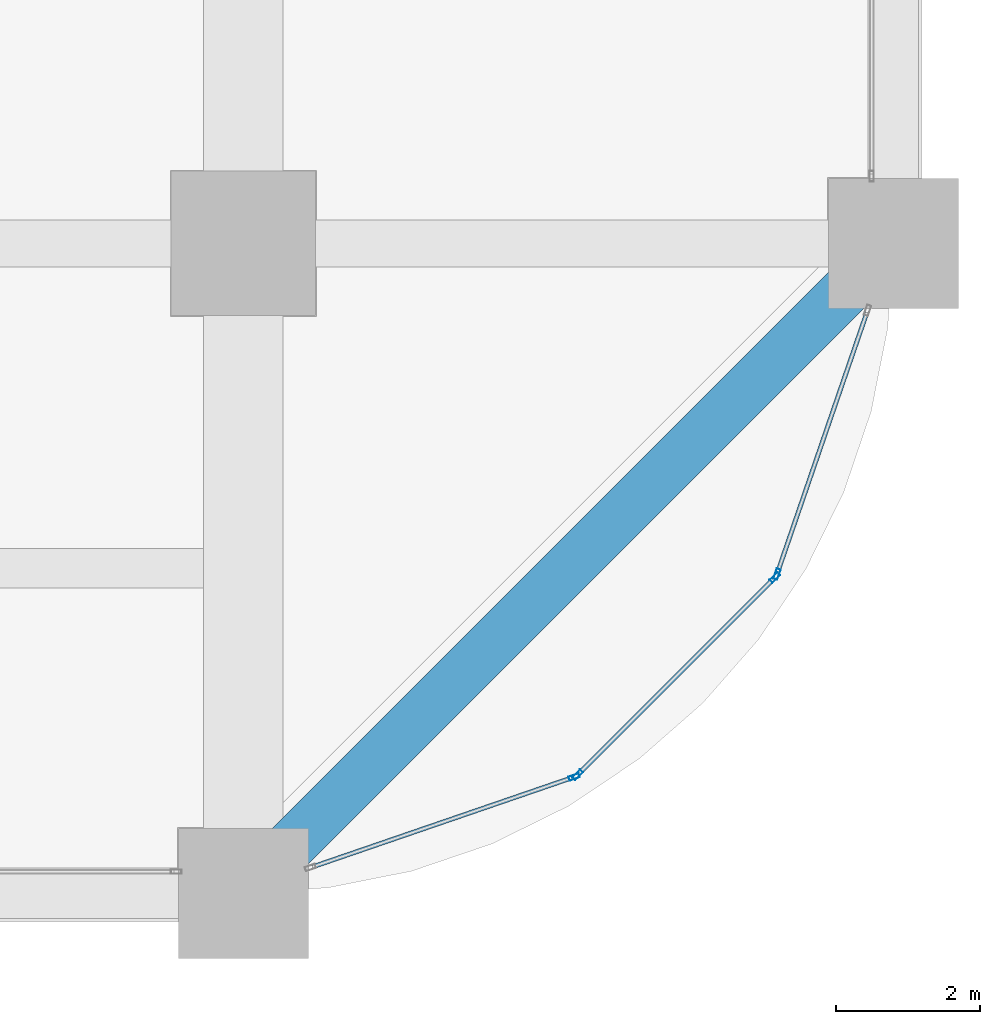
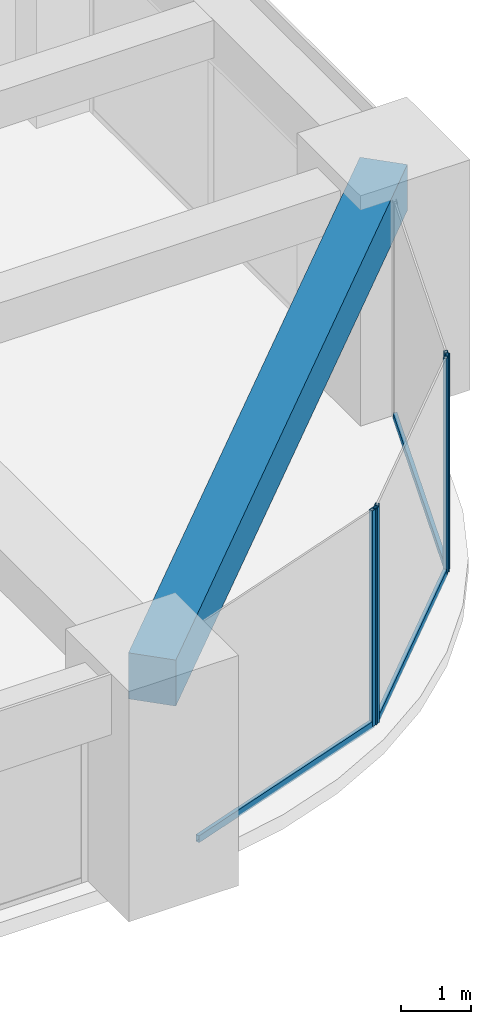
# One storey, part 17 of 40: 7 members, 1 beam, 3 elements without a shape of their own.
"""IFC4 building model written with IfcOpenShell, lengths in metres."""

from ifc_helpers import new_model, si_unit, direction, frame, origin, origin_2d, place, context, subcontext, project, spatial, rectangle, hollow_rectangle, extrude, material, material_profile, profile_set, type_object, element, aggregate, save


model = new_model("IFC4")

# Units and contexts
model_context = context("Model", 3, precision=1e-05, world=origin(), true_north=direction((0.0, 1.0)))
body_context = subcontext(model_context, "Body", "Model", "MODEL_VIEW")
ifc_project = project(units=[si_unit("LENGTHUNIT", "METRE"), si_unit("AREAUNIT", "SQUARE_METRE"), si_unit("VOLUMEUNIT", "CUBIC_METRE"), si_unit("PLANEANGLEUNIT", "RADIAN"), si_unit("MASSUNIT", "GRAM", prefix="KILO")], contexts=[model_context])

# Site, building, storey
site_placement = place(None, origin())
site = spatial("IfcSite", under=ifc_project, at=site_placement, CompositionType="ELEMENT")
building_placement = place(site_placement, origin())
building = spatial("IfcBuilding", under=site, at=building_placement, Name="Zorevar Civic Tower", CompositionType="ELEMENT")
storey_placement = place(building_placement, frame((0.0, 0.0, 93.0)))
storey = spatial("IfcBuildingStorey", under=building, at=storey_placement, Name="L22", CompositionType="ELEMENT", Elevation=93.0)

# Curtain wall, member
ifc_material_1 = material(Name="Dark grey solar-control glass in black aluminium frame", Category="aluminium")
curtain_wall_type = type_object("IfcCurtainWallType", Name="Curtain wall CW3 mid zone", PredefinedType="NOTDEFINED", material=ifc_material_1)
curtain_wall_1_placement = place(storey_placement, origin())
curtain_wall_1 = element("IfcCurtainWall", 1, at=curtain_wall_1_placement, inside=storey, type_object=curtain_wall_type, Name="CW3 L22", PredefinedType="NOTDEFINED")
ifc_material_2 = material(Name="Aluminium, black anodised", Category="aluminium")
ifc_material_profile_1 = material_profile(ifc_material_2, hollow_rectangle(XDim=0.06005859375, YDim=0.14990234375, WallThickness=0.00390625, at=origin_2d()), Name="AL 150x60x4")
ifc_profile_set_1 = profile_set([ifc_material_profile_1], Name="Aluminium, black anodised")
member_type_1 = type_object("IfcMemberType", Name="CW3 mullion AL 150x60x4", PredefinedType="MULLION", material=ifc_profile_set_1)
member_1_placement = place(storey_placement, frame((58.579345703125, 1.610595703125, 0.0), z_axis=(0.0, 0.0, 1.0), x_axis=(-0.324878466857, 0.945755772794, 0.0)))
member_1 = element("IfcMember", 2, at=member_1_placement, type_object=member_type_1, Name="CW3 mullion 2", PredefinedType="MULLION", context=body_context, shape_type="SweptSolid", body=[
    extrude(hollow_rectangle(XDim=0.06005859375, YDim=0.14990234375, WallThickness=0.00390625, at=origin_2d()), origin(), (0.0, 0.0, 1.0), 3.75),
])

# Curtain wall, members
curtain_wall_2_placement = place(storey_placement, origin())
curtain_wall_2 = element("IfcCurtainWall", 3, at=curtain_wall_2_placement, inside=storey, type_object=curtain_wall_type, Name="CW3 L22", PredefinedType="NOTDEFINED")
member_2_placement = place(storey_placement, frame((58.62890625, 1.6416015625, 0.0), z_axis=(0.0, 0.0, 1.0), x_axis=(-0.707106781187, 0.707106781187, 0.0)))
member_2 = element("IfcMember", 4, at=member_2_placement, type_object=member_type_1, Name="CW3 mullion 1", PredefinedType="MULLION", context=body_context, shape_type="SweptSolid", body=[
    extrude(hollow_rectangle(XDim=0.06005859375, YDim=0.14990234375, WallThickness=0.00390625, at=origin_2d()), origin(), (0.0, 0.0, 1.0), 3.75),
])
member_3_placement = place(storey_placement, frame((61.3583984375, 4.37109375, 0.0), z_axis=(0.0, 0.0, 1.0), x_axis=(-0.707106781187, 0.707106781187, 0.0)))
member_3 = element("IfcMember", 5, at=member_3_placement, type_object=member_type_1, Name="CW3 mullion 2", PredefinedType="MULLION", context=body_context, shape_type="SweptSolid", body=[
    extrude(hollow_rectangle(XDim=0.06005859375, YDim=0.14990234375, WallThickness=0.00390625, at=origin_2d()), origin(), (0.0, 0.0, 1.0), 3.75),
])

# Curtain wall, member
curtain_wall_3_placement = place(storey_placement, origin())
curtain_wall_3 = element("IfcCurtainWall", 6, at=curtain_wall_3_placement, inside=storey, type_object=curtain_wall_type, Name="CW3 L22", PredefinedType="NOTDEFINED")
member_4_placement = place(storey_placement, frame((61.389404296875, 4.420654296875, 0.0), z_axis=(0.0, 0.0, 1.0), x_axis=(-0.945755772794, 0.324878466857, 0.0)))
member_4 = element("IfcMember", 7, at=member_4_placement, type_object=member_type_1, Name="CW3 mullion 1", PredefinedType="MULLION", context=body_context, shape_type="SweptSolid", body=[
    extrude(hollow_rectangle(XDim=0.06005859375, YDim=0.14990234375, WallThickness=0.00390625, at=origin_2d()), origin(), (0.0, 0.0, 1.0), 3.75),
])

# Member
ifc_material_3 = material(Name="Aluminium, black anodised", Category="aluminium")
ifc_material_profile_2 = material_profile(ifc_material_3, hollow_rectangle(XDim=0.06005859375, YDim=0.1201171875, WallThickness=0.0029296875, at=origin_2d()), Name="AL 120x60x3")
ifc_profile_set_2 = profile_set([ifc_material_profile_2], Name="Aluminium, black anodised")
member_type_2 = type_object("IfcMemberType", Name="CW3 transom AL 120x60x3", PredefinedType="USERDEFINED", material=ifc_profile_set_2)
member_5_placement = place(storey_placement, frame((54.956787109375, 0.3662109375, 0.030029296875), z_axis=(0.945752620422, 0.324887643602, 0.0), x_axis=(-0.324887643602, 0.945752620422, 0.0)))
member_5 = element("IfcMember", 8, at=member_5_placement, type_object=member_type_2, Name="CW3 sill transom", ObjectType="TRANSOM", PredefinedType="USERDEFINED", context=body_context, shape_type="SweptSolid", body=[
    extrude(hollow_rectangle(XDim=0.06005859375, YDim=0.1201171875, WallThickness=0.0029296875, at=origin_2d()), origin(), (0.0, 0.0, 1.0), 3.800048828125),
])

aggregate(curtain_wall_1, [member_1, member_5])

member_6_placement = place(storey_placement, frame((58.650146484375, 1.662841796875, 0.030029296875), z_axis=(0.707106781187, 0.707106781187, 0.0), x_axis=(-0.707106781187, 0.707106781187, 0.0)))
member_6 = element("IfcMember", 9, at=member_6_placement, type_object=member_type_2, Name="CW3 sill transom", ObjectType="TRANSOM", PredefinedType="USERDEFINED", context=body_context, shape_type="SweptSolid", body=[
    extrude(hollow_rectangle(XDim=0.06005859375, YDim=0.1201171875, WallThickness=0.0029296875, at=origin_2d()), origin(), (0.0, 0.0, 1.0), 3.800048828125),
])

aggregate(curtain_wall_2, [member_2, member_3, member_6])

member_7_placement = place(storey_placement, frame((61.399169921875, 4.44921875, 0.030029296875), z_axis=(0.324887643602, 0.945752620422, 0.0), x_axis=(-0.945752620422, 0.324887643602, 0.0)))
member_7 = element("IfcMember", 10, at=member_7_placement, type_object=member_type_2, Name="CW3 sill transom", ObjectType="TRANSOM", PredefinedType="USERDEFINED", context=body_context, shape_type="SweptSolid", body=[
    extrude(hollow_rectangle(XDim=0.06005859375, YDim=0.1201171875, WallThickness=0.0029296875, at=origin_2d()), origin(), (0.0, 0.0, 1.0), 3.800048828125),
])

aggregate(curtain_wall_3, [member_4, member_7])

# Beam
ifc_material_4 = material(Name="Concrete C50/60", Category="concrete")
ifc_material_profile_3 = material_profile(ifc_material_4, rectangle(XDim=0.699951171875, YDim=0.800048828125, at=origin_2d()), Name="RC 700x800")
ifc_profile_set_3 = profile_set([ifc_material_profile_3], Name="Concrete C50/60")
beam_type = type_object("IfcBeamType", Name="Edge beam RC 700x800", PredefinedType="SPANDREL", material=ifc_profile_set_3)
beam_placement = place(storey_placement, frame((54.0, 0.0, 3.35009765625), z_axis=(0.707106781187, 0.707106781187, 0.0), x_axis=(-0.707106781187, 0.707106781187, 0.0)))
element("IfcBeam", 11, at=beam_placement, inside=storey, type_object=beam_type, Name="Corner edge beam L23", PredefinedType="SPANDREL", context=body_context, shape_type="SweptSolid", body=[
    extrude(rectangle(XDim=0.699951171875, YDim=0.800048828125, at=origin_2d()), origin(), (0.0, 0.0, 1.0), 12.72802734375),
])

save(model, "model.ifc")
